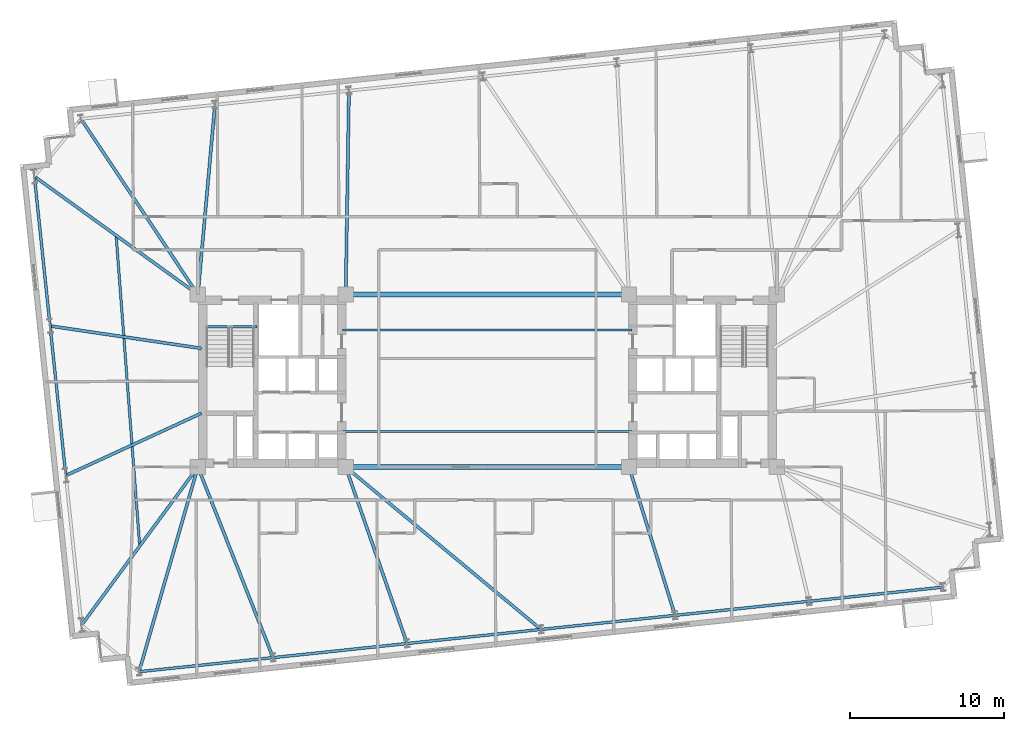
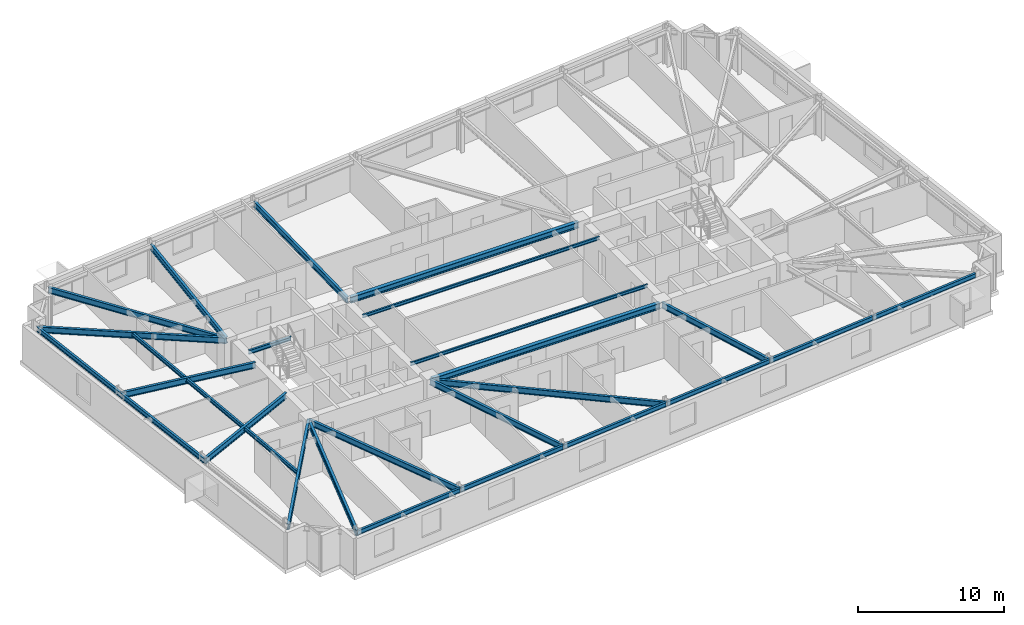
# One storey, part 5 of 18: 26 beams.
"""IFC4 building model written with IfcOpenShell, lengths in metres."""

from ifc_helpers import new_model, si_unit, direction, frame, origin, origin_2d, place, context, subcontext, project, spatial, i_section, extrude, material, material_profile, profile_set, type_object, element, save


model = new_model("IFC4")

# Units and contexts
model_context = context("Model", 3, precision=1e-05, world=origin(), true_north=direction((0.0, 1.0)))
body_context = subcontext(model_context, "Body", "Model", "MODEL_VIEW")
ifc_project = project(units=[si_unit("LENGTHUNIT", "METRE"), si_unit("AREAUNIT", "SQUARE_METRE"), si_unit("VOLUMEUNIT", "CUBIC_METRE"), si_unit("PLANEANGLEUNIT", "RADIAN"), si_unit("MASSUNIT", "GRAM", prefix="KILO")], contexts=[model_context])

# Site, building, storey
site_placement = place(None, origin())
site = spatial("IfcSite", under=ifc_project, at=site_placement, CompositionType="ELEMENT")
building_placement = place(site_placement, origin())
building = spatial("IfcBuilding", under=site, at=building_placement, Name="Qobustan Lattice House", CompositionType="ELEMENT")
storey_placement = place(building_placement, frame((0.0, 0.0, 92.39990234375)))
storey = spatial("IfcBuildingStorey", under=building, at=storey_placement, Name="L25", CompositionType="ELEMENT", Elevation=92.39990234375)

# Beams
ifc_material_1 = material(Name="Steel S355", Category="steel")
ifc_material_profile_1 = material_profile(ifc_material_1, i_section(OverallWidth=0.300048828125, OverallDepth=0.5, WebThickness=0.014404296875, FlangeThickness=0.028076171875, FilletRadius=0.027099609375, at=origin_2d()), Name="HEB500")
ifc_profile_set_1 = profile_set([ifc_material_profile_1], Name="Steel S355")
beam_type_1 = type_object("IfcBeamType", Name="BM-CG-HEB500", PredefinedType="USERDEFINED", material=ifc_profile_set_1)
for number, where, z_axis, x_axis, name in (
    (1, (-9.050048828125, -5.60009765625, 2.795166015625), (1.0, 0.0, 0.0), (0.0, 1.0, 0.0), "L25 core spine girder CG-CS"),
    (2, (-9.050048828125, 5.60009765625, 2.795166015625), (1.0, 0.0, 0.0), (0.0, 1.0, 0.0), "L25 core spine girder CG-CN"),
):
    element("IfcBeam", number, at=place(storey_placement, frame(where, z_axis=z_axis, x_axis=x_axis)), inside=storey, type_object=beam_type_1, Name=name, ObjectType="GIRDER", PredefinedType="USERDEFINED", context=body_context, shape_type="SweptSolid", body=[
        extrude(i_section(OverallWidth=0.300048828125, OverallDepth=0.5, WebThickness=0.014404296875, FlangeThickness=0.028076171875, FilletRadius=0.027099609375, at=origin_2d()), origin(), (0.0, 0.0, 1.0), 18.10009765625),
    ])
ifc_material_2 = material(Name="Steel S355", Category="steel")
ifc_material_profile_2 = material_profile(ifc_material_2, i_section(OverallWidth=0.199951171875, OverallDepth=0.5, WebThickness=0.01025390625, FlangeThickness=0.01611328125, FilletRadius=0.02099609375, at=origin_2d()), Name="IPE500")
ifc_profile_set_2 = profile_set([ifc_material_profile_2], Name="Steel S355")
beam_type_2 = type_object("IfcBeamType", Name="BM-FLG-IPE500", PredefinedType="USERDEFINED", material=ifc_profile_set_2)
beam_1_placement = place(storey_placement, frame((-22.612548828125, -18.87109375, 2.795166015625), z_axis=(0.276115177845, 0.961124554136, 0.0), x_axis=(-0.961124554136, 0.276115177845, 0.0)))
element("IfcBeam", 3, at=beam_1_placement, inside=storey, type_object=beam_type_2, Name="L25 primary floor girder RAD-S1W", ObjectType="GIRDER", PredefinedType="USERDEFINED", context=body_context, shape_type="SweptSolid", body=[
    extrude(i_section(OverallWidth=0.199951171875, OverallDepth=0.5, WebThickness=0.01025390625, FlangeThickness=0.01611328125, FilletRadius=0.02099609375, at=origin_2d()), origin(), (0.0, 0.0, 1.0), 13.782958984375),
])
beam_2_placement = place(storey_placement, frame((-13.926513671875, -17.95703125, 2.795166015625), z_axis=(-0.366884358141, 0.930266557365, 0.0), x_axis=(-0.930266557365, -0.366884358141, 0.0)))
element("IfcBeam", 4, at=beam_2_placement, inside=storey, type_object=beam_type_2, Name="L25 primary floor girder RAD-S2", ObjectType="GIRDER", PredefinedType="USERDEFINED", context=body_context, shape_type="SweptSolid", body=[
    extrude(i_section(OverallWidth=0.199951171875, OverallDepth=0.5, WebThickness=0.01025390625, FlangeThickness=0.01611328125, FilletRadius=0.02099609375, at=origin_2d()), origin(), (0.0, 0.0, 1.0), 13.25830078125),
])
beam_3_placement = place(storey_placement, frame((-5.223388671875, -17.0419921875, 2.795166015625), z_axis=(-0.328289533586, 0.94457714462, 0.0), x_axis=(-0.94457714462, -0.328289533586, 0.0)))
element("IfcBeam", 5, at=beam_3_placement, inside=storey, type_object=beam_type_2, Name="L25 primary floor girder RAD-S3", ObjectType="GIRDER", PredefinedType="USERDEFINED", context=body_context, shape_type="SweptSolid", body=[
    extrude(i_section(OverallWidth=0.199951171875, OverallDepth=0.5, WebThickness=0.01025390625, FlangeThickness=0.01611328125, FilletRadius=0.02099609375, at=origin_2d()), origin(), (0.0, 0.0, 1.0), 12.08837890625),
])
beam_4_placement = place(storey_placement, frame((3.467529296875, -16.135009765625, 2.795166015625), z_axis=(-0.768858311844, 0.639419186691, 0.0), x_axis=(-0.639419186691, -0.768858311844, 0.0)))
element("IfcBeam", 6, at=beam_4_placement, inside=storey, type_object=beam_type_2, Name="L25 primary floor girder RAD-S4", ObjectType="GIRDER", PredefinedType="USERDEFINED", context=body_context, shape_type="SweptSolid", body=[
    extrude(i_section(OverallWidth=0.199951171875, OverallDepth=0.5, WebThickness=0.01025390625, FlangeThickness=0.01611328125, FilletRadius=0.02099609375, at=origin_2d()), origin(), (0.0, 0.0, 1.0), 16.450927734375),
])
beam_5_placement = place(storey_placement, frame((12.181396484375, -15.212646484375, 2.795166015625), z_axis=(-0.296219460995, 0.955119903953, 0.0), x_axis=(-0.955119903953, -0.296219460995, 0.0)))
element("IfcBeam", 7, at=beam_5_placement, inside=storey, type_object=beam_type_2, Name="L25 primary floor girder RAD-S5", ObjectType="GIRDER", PredefinedType="USERDEFINED", context=body_context, shape_type="SweptSolid", body=[
    extrude(i_section(OverallWidth=0.199951171875, OverallDepth=0.5, WebThickness=0.01025390625, FlangeThickness=0.01611328125, FilletRadius=0.02099609375, at=origin_2d()), origin(), (0.0, 0.0, 1.0), 10.03955078125),
])
beam_6_placement = place(storey_placement, frame((-26.37890625, 16.986328125, 2.795166015625), z_axis=(0.5540893103, -0.832457227857, 0.0), x_axis=(0.832457227857, 0.5540893103, 0.0)))
element("IfcBeam", 8, at=beam_6_placement, inside=storey, type_object=beam_type_2, Name="L25 primary floor girder RAD-N7W", ObjectType="GIRDER", PredefinedType="USERDEFINED", context=body_context, shape_type="SweptSolid", body=[
    extrude(i_section(OverallWidth=0.199951171875, OverallDepth=0.5, WebThickness=0.01025390625, FlangeThickness=0.01611328125, FilletRadius=0.02099609375, at=origin_2d()), origin(), (0.0, 0.0, 1.0), 13.65283203125),
])
beam_7_placement = place(storey_placement, frame((-17.693115234375, 17.89697265625, 2.795166015625), z_axis=(-0.089658533603, -0.995972563554, 0.0), x_axis=(0.995972563554, -0.089658533603, 0.0)))
element("IfcBeam", 9, at=beam_7_placement, inside=storey, type_object=beam_type_2, Name="L25 primary floor girder RAD-N6", ObjectType="GIRDER", PredefinedType="USERDEFINED", context=body_context, shape_type="SweptSolid", body=[
    extrude(i_section(OverallWidth=0.199951171875, OverallDepth=0.5, WebThickness=0.01025390625, FlangeThickness=0.01611328125, FilletRadius=0.02099609375, at=origin_2d()), origin(), (0.0, 0.0, 1.0), 12.321533203125),
])
beam_8_placement = place(storey_placement, frame((-8.9892578125, 18.8115234375, 2.795166015625), z_axis=(-0.015957384359, -0.999872672836, 0.0), x_axis=(0.999872672836, -0.015957384359, 0.0)))
element("IfcBeam", 10, at=beam_8_placement, inside=storey, type_object=beam_type_2, Name="L25 primary floor girder RAD-N5", ObjectType="GIRDER", PredefinedType="USERDEFINED", context=body_context, shape_type="SweptSolid", body=[
    extrude(i_section(OverallWidth=0.199951171875, OverallDepth=0.5, WebThickness=0.01025390625, FlangeThickness=0.01611328125, FilletRadius=0.02099609375, at=origin_2d()), origin(), (0.0, 0.0, 1.0), 13.188232421875),
])
beam_9_placement = place(storey_placement, frame((-29.398681640625, 13.255859375, 2.795166015625), z_axis=(0.810627425394, -0.585562274399, 0.0), x_axis=(0.585562274399, 0.810627425394, 0.0)))
element("IfcBeam", 11, at=beam_9_placement, inside=storey, type_object=beam_type_2, Name="L25 primary floor girder RAD-W1", ObjectType="GIRDER", PredefinedType="USERDEFINED", context=body_context, shape_type="SweptSolid", body=[
    extrude(i_section(OverallWidth=0.199951171875, OverallDepth=0.5, WebThickness=0.01025390625, FlangeThickness=0.01611328125, FilletRadius=0.02099609375, at=origin_2d()), origin(), (0.0, 0.0, 1.0), 13.049560546875),
])
beam_10_placement = place(storey_placement, frame((-28.373291015625, 3.5537109375, 2.795166015625), z_axis=(0.989228195022, -0.146381618294, 0.0), x_axis=(0.146381618294, 0.989228195022, 0.0)))
element("IfcBeam", 12, at=beam_10_placement, inside=storey, type_object=beam_type_2, Name="L25 primary floor girder RAD-W2", ObjectType="GIRDER", PredefinedType="USERDEFINED", context=body_context, shape_type="SweptSolid", body=[
    extrude(i_section(OverallWidth=0.199951171875, OverallDepth=0.5, WebThickness=0.01025390625, FlangeThickness=0.01611328125, FilletRadius=0.02099609375, at=origin_2d()), origin(), (0.0, 0.0, 1.0), 9.9052734375),
])
beam_11_placement = place(storey_placement, frame((-27.3544921875, -6.1455078125, 2.795166015625), z_axis=(0.908664928826, 0.417526103521, 0.0), x_axis=(-0.417526103521, 0.908664928826, 0.0)))
element("IfcBeam", 13, at=beam_11_placement, inside=storey, type_object=beam_type_2, Name="L25 primary floor girder RAD-W3", ObjectType="GIRDER", PredefinedType="USERDEFINED", context=body_context, shape_type="SweptSolid", body=[
    extrude(i_section(OverallWidth=0.199951171875, OverallDepth=0.5, WebThickness=0.01025390625, FlangeThickness=0.01611328125, FilletRadius=0.02099609375, at=origin_2d()), origin(), (0.0, 0.0, 1.0), 9.66455078125),
])
beam_12_placement = place(storey_placement, frame((-26.34130859375, -15.848876953125, 2.795166015625), z_axis=(0.592669703312, 0.805445605101, 0.0), x_axis=(-0.805445605101, 0.592669703312, 0.0)))
element("IfcBeam", 14, at=beam_12_placement, inside=storey, type_object=beam_type_2, Name="L25 primary floor girder RAD-W4", ObjectType="GIRDER", PredefinedType="USERDEFINED", context=body_context, shape_type="SweptSolid", body=[
    extrude(i_section(OverallWidth=0.199951171875, OverallDepth=0.5, WebThickness=0.01025390625, FlangeThickness=0.01611328125, FilletRadius=0.02099609375, at=origin_2d()), origin(), (0.0, 0.0, 1.0), 12.699462890625),
])
ifc_material_3 = material(Name="Steel S355", Category="steel")
ifc_material_profile_3 = material_profile(ifc_material_3, i_section(OverallWidth=0.135009765625, OverallDepth=0.27001953125, WebThickness=0.006591796875, FlangeThickness=0.01025390625, FilletRadius=0.014892578125, at=origin_2d()), Name="IPE270")
ifc_profile_set_3 = profile_set([ifc_material_profile_3], Name="Steel S355")
beam_type_3 = type_object("IfcBeamType", Name="BM-JST-IPE270", PredefinedType="JOIST", material=ifc_profile_set_3)
for number, where, z_axis, x_axis, name in (
    (15, (-9.39990234375, -3.300048828125, 2.91015625), (1.0, 0.0, 0.0), (0.0, 1.0, 0.0), "L25 central span floor joist 1"),
    (16, (-9.39990234375, 3.300048828125, 2.91015625), (1.0, 0.0, 0.0), (0.0, 1.0, 0.0), "L25 central span floor joist 2"),
):
    element("IfcBeam", number, at=place(storey_placement, frame(where, z_axis=z_axis, x_axis=x_axis)), inside=storey, type_object=beam_type_3, Name=name, PredefinedType="JOIST", context=body_context, shape_type="SweptSolid", body=[
        extrude(i_section(OverallWidth=0.135009765625, OverallDepth=0.27001953125, WebThickness=0.006591796875, FlangeThickness=0.01025390625, FilletRadius=0.014892578125, at=origin_2d()), origin(), (0.0, 0.0, 1.0), 18.7998046875),
    ])
ifc_material_4 = material(Name="Steel S355", Category="steel")
ifc_material_profile_4 = material_profile(ifc_material_4, i_section(OverallWidth=0.159912109375, OverallDepth=0.330078125, WebThickness=0.007568359375, FlangeThickness=0.011474609375, FilletRadius=0.01806640625, at=origin_2d()), Name="IPE330")
ifc_profile_set_4 = profile_set([ifc_material_profile_4], Name="Steel S355")
beam_type_4 = type_object("IfcBeamType", Name="BM-SEC-IPE330", PredefinedType="BEAM", material=ifc_profile_set_4)
beam_13_placement = place(storey_placement, frame((-24.109619140625, 9.435302734375, 2.880126953125), z_axis=(0.07571166528, -0.997129752711, 0.0), x_axis=(0.997129752711, 0.07571166528, 0.0)))
element("IfcBeam", 17, at=beam_13_placement, inside=storey, type_object=beam_type_4, Name="L25 west wing secondary beam", PredefinedType="BEAM", context=body_context, shape_type="SweptSolid", body=[
    extrude(i_section(OverallWidth=0.159912109375, OverallDepth=0.330078125, WebThickness=0.007568359375, FlangeThickness=0.011474609375, FilletRadius=0.01806640625, at=origin_2d()), origin(), (0.0, 0.0, 1.0), 20.22802734375),
])
ifc_material_5 = material(Name="Steel S355", Category="steel")
ifc_material_profile_5 = material_profile(ifc_material_5, i_section(OverallWidth=0.159912109375, OverallDepth=0.330078125, WebThickness=0.007568359375, FlangeThickness=0.011474609375, FilletRadius=0.01806640625, at=origin_2d()), Name="IPE330")
ifc_profile_set_5 = profile_set([ifc_material_profile_5], Name="Steel S355")
beam_type_5 = type_object("IfcBeamType", Name="BM-SPD-IPE330", PredefinedType="SPANDREL", material=ifc_profile_set_5)
beam_14_placement = place(storey_placement, frame((-18.300048828125, 3.52001953125, 2.880126953125), z_axis=(1.0, 0.0, 0.0), x_axis=(0.0, 1.0, 0.0)))
element("IfcBeam", 18, at=beam_14_placement, inside=storey, type_object=beam_type_5, Name="L25 west stair landing trimmer beam", PredefinedType="SPANDREL", context=body_context, shape_type="SweptSolid", body=[
    extrude(i_section(OverallWidth=0.159912109375, OverallDepth=0.330078125, WebThickness=0.007568359375, FlangeThickness=0.011474609375, FilletRadius=0.01806640625, at=origin_2d()), origin(), (0.0, 0.0, 1.0), 3.35009765625),
])
ifc_material_6 = material(Name="Steel S355", Category="steel")
ifc_material_profile_6 = material_profile(ifc_material_6, i_section(OverallWidth=0.179931640625, OverallDepth=0.39990234375, WebThickness=0.008544921875, FlangeThickness=0.013427734375, FilletRadius=0.02099609375, at=origin_2d()), Name="IPE400")
ifc_profile_set_6 = profile_set([ifc_material_profile_6], Name="Steel S355")
beam_type_6 = type_object("IfcBeamType", Name="BM-SPD-IPE400", PredefinedType="SPANDREL", material=ifc_profile_set_6)
beam_15_placement = place(storey_placement, frame((-22.594482421875, -18.892333984375, 2.84521484375), z_axis=(0.994521279781, 0.10453432002, 0.0), x_axis=(-0.10453432002, 0.994521279781, 0.0)))
element("IfcBeam", 19, at=beam_15_placement, inside=storey, type_object=beam_type_6, Name="L25 perimeter spandrel S1-S2", PredefinedType="SPANDREL", context=body_context, shape_type="SweptSolid", body=[
    extrude(i_section(OverallWidth=0.179931640625, OverallDepth=0.39990234375, WebThickness=0.008544921875, FlangeThickness=0.013427734375, FilletRadius=0.02099609375, at=origin_2d()), origin(), (0.0, 0.0, 1.0), 8.69970703125),
])
for number, where, z_axis, x_axis, name in (
    (20, (-13.892578125, -17.977783203125, 2.84521484375), (0.994521586424, 0.104531402636, 0.0), (-0.104531402636, 0.994521586424, 0.0), "L25 perimeter spandrel S2-S3"),
    (21, (-5.1904296875, -17.06298828125, 2.84521484375), (0.994524503348, 0.104503647022, 0.0), (-0.104503647022, 0.994524503348, 0.0), "L25 perimeter spandrel S3-S4"),
):
    element("IfcBeam", number, at=place(storey_placement, frame(where, z_axis=z_axis, x_axis=x_axis)), inside=storey, type_object=beam_type_6, Name=name, PredefinedType="SPANDREL", context=body_context, shape_type="SweptSolid", body=[
        extrude(i_section(OverallWidth=0.179931640625, OverallDepth=0.39990234375, WebThickness=0.008544921875, FlangeThickness=0.013427734375, FilletRadius=0.02099609375, at=origin_2d()), origin(), (0.0, 0.0, 1.0), 8.699951171875),
    ])
beam_16_placement = place(storey_placement, frame((3.51171875, -16.1484375, 2.84521484375), z_axis=(0.994521279781, 0.10453432002, 0.0), x_axis=(-0.10453432002, 0.994521279781, 0.0)))
element("IfcBeam", 22, at=beam_16_placement, inside=storey, type_object=beam_type_6, Name="L25 perimeter spandrel S4-S5", PredefinedType="SPANDREL", context=body_context, shape_type="SweptSolid", body=[
    extrude(i_section(OverallWidth=0.179931640625, OverallDepth=0.39990234375, WebThickness=0.008544921875, FlangeThickness=0.013427734375, FilletRadius=0.02099609375, at=origin_2d()), origin(), (0.0, 0.0, 1.0), 8.69970703125),
])
for number, where, z_axis, x_axis, name in (
    (23, (12.213623046875, -15.23388671875, 2.84521484375), (0.994521586424, 0.104531402636, 0.0), (-0.104531402636, 0.994521586424, 0.0), "L25 perimeter spandrel S5-S6"),
    (24, (20.915771484375, -14.3193359375, 2.84521484375), (0.994521586424, 0.104531402636, 0.0), (-0.104531402636, 0.994521586424, 0.0), "L25 perimeter spandrel S6-S7"),
):
    element("IfcBeam", number, at=place(storey_placement, frame(where, z_axis=z_axis, x_axis=x_axis)), inside=storey, type_object=beam_type_6, Name=name, PredefinedType="SPANDREL", context=body_context, shape_type="SweptSolid", body=[
        extrude(i_section(OverallWidth=0.179931640625, OverallDepth=0.39990234375, WebThickness=0.008544921875, FlangeThickness=0.013427734375, FilletRadius=0.02099609375, at=origin_2d()), origin(), (0.0, 0.0, 1.0), 8.699951171875),
    ])
beam_17_placement = place(storey_placement, frame((-29.416259765625, 13.24560546875, 2.84521484375), z_axis=(0.104525214252, -0.994522236848, 0.0), x_axis=(0.994522236848, 0.104525214252, 0.0)))
element("IfcBeam", 25, at=beam_17_placement, inside=storey, type_object=beam_type_6, Name="L25 perimeter spandrel W1-W2", PredefinedType="SPANDREL", context=body_context, shape_type="SweptSolid", body=[
    extrude(i_section(OverallWidth=0.179931640625, OverallDepth=0.39990234375, WebThickness=0.008544921875, FlangeThickness=0.013427734375, FilletRadius=0.02099609375, at=origin_2d()), origin(), (0.0, 0.0, 1.0), 9.716552734375),
])
beam_18_placement = place(storey_placement, frame((-28.3955078125, 3.532470703125, 2.84521484375), z_axis=(0.104547453407, -0.994519899241, 0.0), x_axis=(0.994519899241, 0.104547453407, 0.0)))
element("IfcBeam", 26, at=beam_18_placement, inside=storey, type_object=beam_type_6, Name="L25 perimeter spandrel W2-W3", PredefinedType="SPANDREL", context=body_context, shape_type="SweptSolid", body=[
    extrude(i_section(OverallWidth=0.179931640625, OverallDepth=0.39990234375, WebThickness=0.008544921875, FlangeThickness=0.013427734375, FilletRadius=0.02099609375, at=origin_2d()), origin(), (0.0, 0.0, 1.0), 9.716796875),
])

save(model, "model.ifc")
